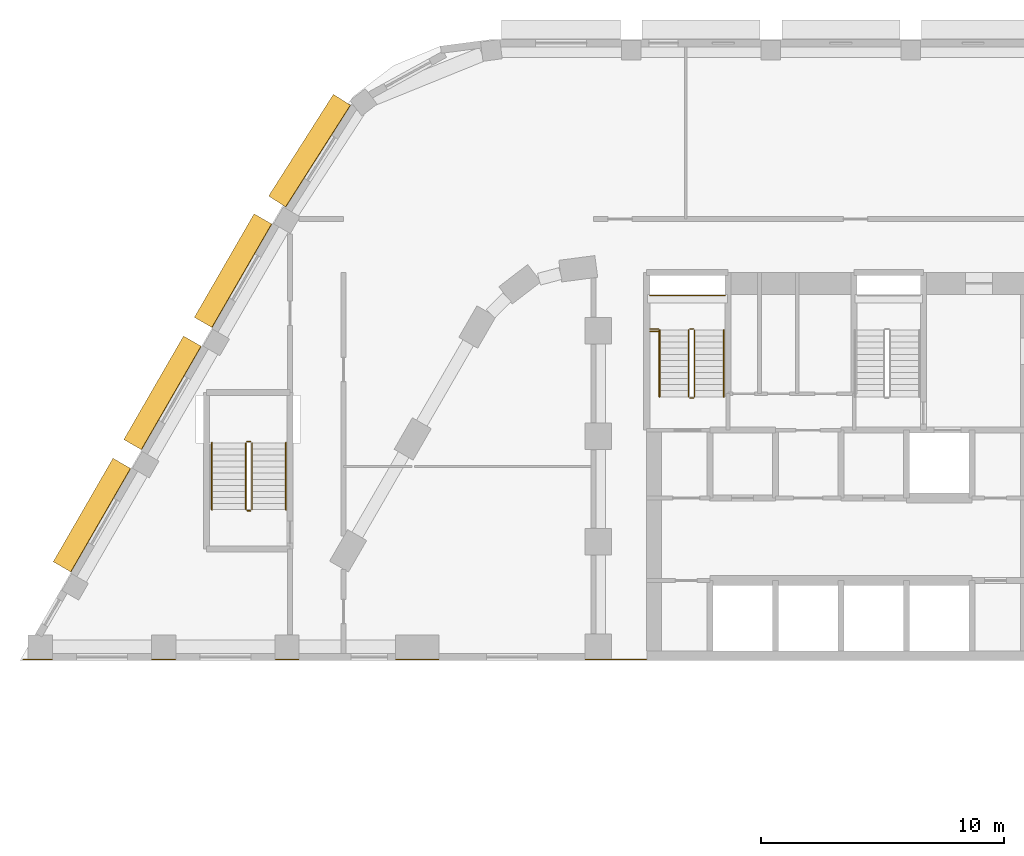
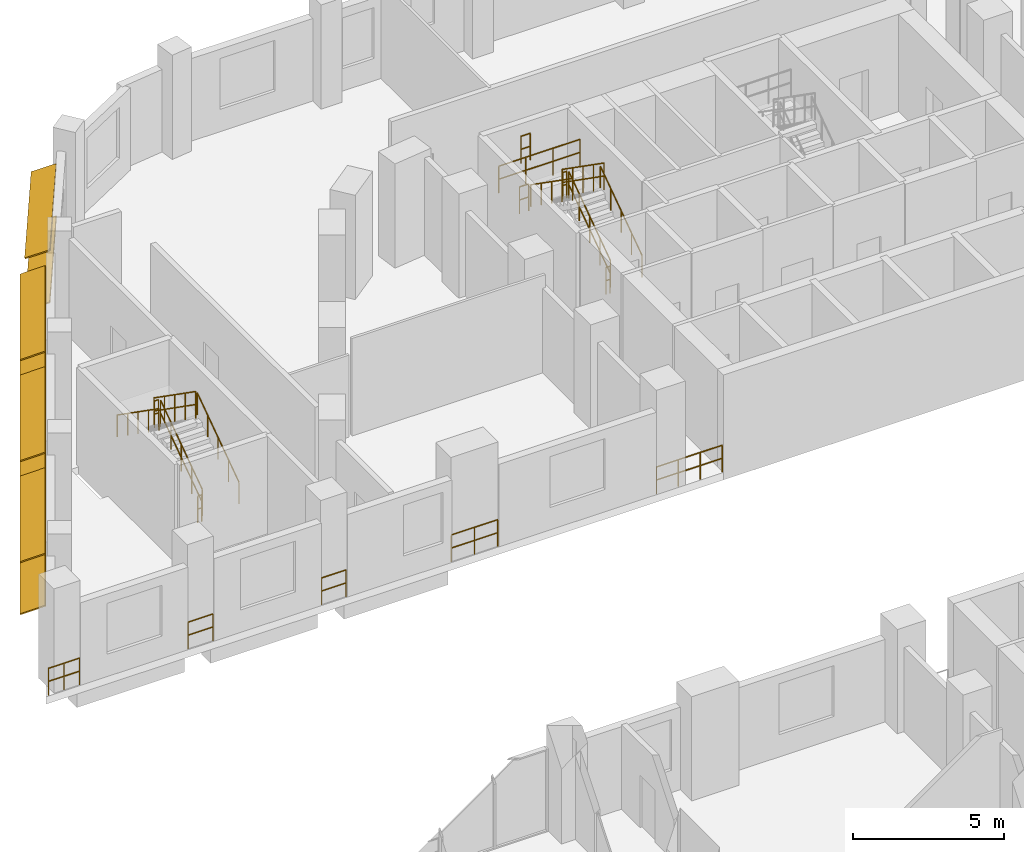
# One storey, part 21 of 22: 20 railings, 8 shading devices.
"""IFC4 building model written with IfcOpenShell, lengths in metres."""

from ifc_helpers import new_model, si_unit, direction, frame, origin, origin_2d, place, context, subcontext, project, spatial, rectangle, circle, extrude, material, material_profile, profile_set, type_object, element, save


model = new_model("IFC4")

# Units and contexts
model_context = context("Model", 3, precision=1e-05, world=origin(), true_north=direction((0.0, 1.0)))
body_context = subcontext(model_context, "Body", "Model", "MODEL_VIEW")
ifc_project = project(units=[si_unit("LENGTHUNIT", "METRE"), si_unit("AREAUNIT", "SQUARE_METRE"), si_unit("VOLUMEUNIT", "CUBIC_METRE"), si_unit("PLANEANGLEUNIT", "RADIAN"), si_unit("MASSUNIT", "GRAM", prefix="KILO")], contexts=[model_context])

# Site, building, storey
site_placement = place(None, origin())
site = spatial("IfcSite", under=ifc_project, at=site_placement, CompositionType="ELEMENT")
building_placement = place(site_placement, origin())
building = spatial("IfcBuilding", under=site, at=building_placement, Name="Nakaniwa Court", CompositionType="ELEMENT")
storey_placement = place(building_placement, frame((0.0, 0.0, 24.0)))
storey = spatial("IfcBuildingStorey", under=building, at=storey_placement, Name="L05", CompositionType="ELEMENT", Elevation=24.0)

# Shading devices
ifc_material_1 = material(Name="Perforated charcoal ceramic louvre blade")
ifc_material_profile = material_profile(ifc_material_1, rectangle(XDim=0.89990234375, YDim=0.050048828125, at=origin_2d()), Name="Perforated ceramic louvre blade")
ifc_profile_set = profile_set([ifc_material_profile], Name="Perforated charcoal ceramic louvre blade")
shading_device_type = type_object("IfcShadingDeviceType", Name="Perforated ceramic louvre blade", PredefinedType="JALOUSIE", material=ifc_profile_set)
for number, where, z_axis, x_axis, name in (
    (1, (56.184814453125, 105.6015625, 0.550048828125), (-0.499988503985, -0.86603204091, 0.0), (0.800109277096, -0.461929145323, 0.382683432365), "L05 perforated ceramic louvre blade w27 1"),
    (2, (56.184814453125, 105.6015625, 2.64990234375), (-0.499988503985, -0.86603204091, 0.0), (0.800109277096, -0.461929145323, 0.382683432365), "L05 perforated ceramic louvre blade w27 2"),
    (3, (53.2763671875, 100.564208984375, 0.550048828125), (-0.499951322638, -0.866053505849, 0.0), (0.800129108113, -0.461894794237, 0.382683432365), "L05 perforated ceramic louvre blade w28 1"),
    (4, (53.2763671875, 100.564208984375, 2.64990234375), (-0.499951322638, -0.866053505849, 0.0), (0.800129108113, -0.461894794237, 0.382683432365), "L05 perforated ceramic louvre blade w28 2"),
    (5, (50.3681640625, 95.526611328125, 0.550048828125), (-0.500009969958, -0.86601964755, 0.0), (0.800097827124, -0.461948977295, 0.382683432365), "L05 perforated ceramic louvre blade w29 1"),
    (6, (50.3681640625, 95.526611328125, 2.64990234375), (-0.500009969958, -0.86601964755, 0.0), (0.800097827124, -0.461948977295, 0.382683432365), "L05 perforated ceramic louvre blade w29 2"),
):
    element("IfcShadingDevice", number, at=place(storey_placement, frame(where, z_axis=z_axis, x_axis=x_axis)), inside=storey, type_object=shading_device_type, Name=name, PredefinedType="JALOUSIE", context=body_context, shape_type="SweptSolid", body=[
        extrude(rectangle(XDim=0.89990234375, YDim=0.050048828125, at=origin_2d()), origin(), (0.0, 0.0, 1.0), 4.9248046875),
    ])
for number, where, z_axis, x_axis, name in (
    (7, (59.44287109375, 110.513427734375, 0.550048828125), (-0.537237750098, -0.843430850675, 0.0), (0.775805827955, -0.494162831713, 0.392337116604), "L05 perforated ceramic louvre blade w53 1"),
    (8, (59.44287109375, 110.513427734375, 2.64990234375), (-0.537237750098, -0.843430850675, 0.0), (0.775805827955, -0.494162831713, 0.392337116604), "L05 perforated ceramic louvre blade w53 2"),
):
    element("IfcShadingDevice", number, at=place(storey_placement, frame(where, z_axis=z_axis, x_axis=x_axis)), inside=storey, type_object=shading_device_type, Name=name, PredefinedType="JALOUSIE", context=body_context, shape_type="SweptSolid", body=[
        extrude(rectangle(XDim=0.89990234375, YDim=0.050048828125, at=origin_2d()), origin(), (0.0, 0.0, 1.0), 4.970703125),
    ])

# Railings
ifc_material_2 = material(Name="Black powder coated steel guard", Category="steel")
railing_type_1 = type_object("IfcRailingType", Name="Stair guard 1100", PredefinedType="GUARDRAIL", material=ifc_material_2)
railing_1_placement = place(storey_placement, frame((73.97509765625, 98.27490234375, 0.175048828125)))
element("IfcRailing", 9, at=railing_1_placement, inside=storey, type_object=railing_type_1, Name="L05 ST1 stair guard 1", PredefinedType="GUARDRAIL", context=body_context, shape_type="SweptSolid", body=[
    extrude(circle(Radius=0.02392578125, at=origin_2d()), frame((0.0, 0.0, 1.076171875), z_axis=(0.0, 0.819225086817, 0.573472106672), x_axis=(-1.0, 0.0, 0.0)), (0.0, 0.0, 1.0), 3.35693359375),
    extrude(circle(Radius=0.02392578125, at=origin_2d()), frame((0.0, 0.0, 0.550048828125), z_axis=(0.0, 0.819225086817, 0.573472106672), x_axis=(-1.0, 0.0, 0.0)), (0.0, 0.0, 1.0), 3.35693359375),
    extrude(circle(Radius=0.02099609375, at=origin_2d()), origin(), (0.0, 0.0, 1.0), 1.052001953125),
    extrude(circle(Radius=0.02099609375, at=origin_2d()), frame((0.0, 0.6875, 0.481201171875)), (0.0, 0.0, 1.0), 1.052001953125),
    extrude(circle(Radius=0.02099609375, at=origin_2d()), frame((0.0, 1.375, 0.96240234375)), (0.0, 0.0, 1.0), 1.052001953125),
    extrude(circle(Radius=0.02099609375, at=origin_2d()), frame((0.0, 2.0625, 1.44384765625)), (0.0, 0.0, 1.0), 1.052001953125),
    extrude(circle(Radius=0.02099609375, at=origin_2d()), frame((0.0, 2.75, 1.925048828125)), (0.0, 0.0, 1.0), 1.052001953125),
])
railing_2_placement = place(storey_placement, frame((73.925048828125, 101.074951171875, 2.10009765625)))
element("IfcRailing", 10, at=railing_2_placement, inside=storey, type_object=railing_type_1, Name="L05 ST1 stair guard 2", PredefinedType="GUARDRAIL", context=body_context, shape_type="SweptSolid", body=[
    extrude(circle(Radius=0.02392578125, at=origin_2d()), frame((0.0, 0.0, 1.076171875), z_axis=(-1.0, 0.0, 0.0), x_axis=(0.0, -1.0, 0.0)), (0.0, 0.0, 1.0), 0.150146484375),
    extrude(circle(Radius=0.02392578125, at=origin_2d()), frame((0.0, 0.0, 0.550048828125), z_axis=(-1.0, 0.0, 0.0), x_axis=(0.0, -1.0, 0.0)), (0.0, 0.0, 1.0), 0.150146484375),
    extrude(circle(Radius=0.02099609375, at=origin_2d()), origin(), (0.0, 0.0, 1.0), 1.052001953125),
    extrude(circle(Radius=0.02099609375, at=origin_2d()), frame((-0.150146484375, 0.0, 0.0)), (0.0, 0.0, 1.0), 1.052001953125),
])
railing_3_placement = place(storey_placement, frame((73.72509765625, 101.02490234375, 2.27490234375)))
element("IfcRailing", 11, at=railing_3_placement, inside=storey, type_object=railing_type_1, Name="L05 ST1 stair guard 3", PredefinedType="GUARDRAIL", context=body_context, shape_type="SweptSolid", body=[
    extrude(circle(Radius=0.02392578125, at=origin_2d()), frame((0.0, 0.0, 1.076171875), z_axis=(0.0, -0.819225086817, 0.573472106672), x_axis=(1.0, 0.0, 0.0)), (0.0, 0.0, 1.0), 3.35693359375),
    extrude(circle(Radius=0.02392578125, at=origin_2d()), frame((0.0, 0.0, 0.550048828125), z_axis=(0.0, -0.819225086817, 0.573472106672), x_axis=(1.0, 0.0, 0.0)), (0.0, 0.0, 1.0), 3.35693359375),
    extrude(circle(Radius=0.02099609375, at=origin_2d()), origin(), (0.0, 0.0, 1.0), 1.052001953125),
    extrude(circle(Radius=0.02099609375, at=origin_2d()), frame((0.0, -0.6875, 0.481201171875)), (0.0, 0.0, 1.0), 1.052001953125),
    extrude(circle(Radius=0.02099609375, at=origin_2d()), frame((0.0, -1.375, 0.96240234375)), (0.0, 0.0, 1.0), 1.052001953125),
    extrude(circle(Radius=0.02099609375, at=origin_2d()), frame((0.0, -2.0625, 1.44384765625)), (0.0, 0.0, 1.0), 1.052001953125),
    extrude(circle(Radius=0.02099609375, at=origin_2d()), frame((0.0, -2.75, 1.925048828125)), (0.0, 0.0, 1.0), 1.052001953125),
])
railing_4_placement = place(storey_placement, frame((73.925048828125, 98.22509765625, 0.0)))
element("IfcRailing", 12, at=railing_4_placement, inside=storey, type_object=railing_type_1, Name="L05 ST1 stair guard 4", PredefinedType="GUARDRAIL", context=body_context, shape_type="SweptSolid", body=[
    extrude(circle(Radius=0.02392578125, at=origin_2d()), frame((0.0, 0.0, 1.076171875), z_axis=(-1.0, 0.0, 0.0), x_axis=(0.0, -1.0, 0.0)), (0.0, 0.0, 1.0), 0.150146484375),
    extrude(circle(Radius=0.02392578125, at=origin_2d()), frame((0.0, 0.0, 0.550048828125), z_axis=(-1.0, 0.0, 0.0), x_axis=(0.0, -1.0, 0.0)), (0.0, 0.0, 1.0), 0.150146484375),
    extrude(circle(Radius=0.02099609375, at=origin_2d()), origin(), (0.0, 0.0, 1.0), 1.052001953125),
    extrude(circle(Radius=0.02099609375, at=origin_2d()), frame((-0.150146484375, 0.0, 0.0)), (0.0, 0.0, 1.0), 1.052001953125),
])
railing_5_placement = place(storey_placement, frame((72.125, 102.449951171875, 2.10009765625)))
element("IfcRailing", 13, at=railing_5_placement, inside=storey, type_object=railing_type_1, Name="L05 ST1 landing end guard 1", PredefinedType="GUARDRAIL", context=body_context, shape_type="SweptSolid", body=[
    extrude(circle(Radius=0.02392578125, at=origin_2d()), frame((0.0, 0.0, 1.076171875), z_axis=(1.0, 0.0, 0.0), x_axis=(0.0, 1.0, 0.0)), (0.0, 0.0, 1.0), 3.10009765625),
    extrude(circle(Radius=0.02392578125, at=origin_2d()), frame((0.0, 0.0, 0.550048828125), z_axis=(1.0, 0.0, 0.0), x_axis=(0.0, 1.0, 0.0)), (0.0, 0.0, 1.0), 3.10009765625),
    extrude(circle(Radius=0.02099609375, at=origin_2d()), origin(), (0.0, 0.0, 1.0), 1.052001953125),
    extrude(circle(Radius=0.02099609375, at=origin_2d()), frame((1.033447265625, 0.0, 0.0)), (0.0, 0.0, 1.0), 1.052001953125),
    extrude(circle(Radius=0.02099609375, at=origin_2d()), frame((2.066650390625, 0.0, 0.0)), (0.0, 0.0, 1.0), 1.052001953125),
    extrude(circle(Radius=0.02099609375, at=origin_2d()), frame((3.10009765625, 0.0, 0.0)), (0.0, 0.0, 1.0), 1.052001953125),
])
for number, where, name in (
    (14, (72.125, 101.074951171875, 2.10009765625), "L05 ST1 landing side guard 1W"),
    (15, (72.125, 100.97509765625, 4.199951171875), "L05 ST1 floor edge guard 1W"),
):
    element("IfcRailing", number, at=place(storey_placement, frame(where)), inside=storey, type_object=railing_type_1, Name=name, PredefinedType="GUARDRAIL", context=body_context, shape_type="SweptSolid", body=[
        extrude(circle(Radius=0.02392578125, at=origin_2d()), frame((0.0, 0.0, 1.076171875), z_axis=(1.0, 0.0, 0.0), x_axis=(0.0, 1.0, 0.0)), (0.0, 0.0, 1.0), 0.35009765625),
        extrude(circle(Radius=0.02392578125, at=origin_2d()), frame((0.0, 0.0, 0.550048828125), z_axis=(1.0, 0.0, 0.0), x_axis=(0.0, 1.0, 0.0)), (0.0, 0.0, 1.0), 0.35009765625),
        extrude(circle(Radius=0.02099609375, at=origin_2d()), origin(), (0.0, 0.0, 1.0), 1.052001953125),
        extrude(circle(Radius=0.02099609375, at=origin_2d()), frame((0.35009765625, 0.0, 0.0)), (0.0, 0.0, 1.0), 1.052001953125),
    ])
railing_6_placement = place(storey_placement, frame((55.72509765625, 93.625, 0.175048828125)))
element("IfcRailing", 16, at=railing_6_placement, inside=storey, type_object=railing_type_1, Name="L05 SS2 stair guard 1", PredefinedType="GUARDRAIL", context=body_context, shape_type="SweptSolid", body=[
    extrude(circle(Radius=0.02392578125, at=origin_2d()), frame((0.0, 0.0, 1.076171875), z_axis=(0.0, 0.819225086817, 0.573472106672), x_axis=(-1.0, 0.0, 0.0)), (0.0, 0.0, 1.0), 3.35693359375),
    extrude(circle(Radius=0.02392578125, at=origin_2d()), frame((0.0, 0.0, 0.550048828125), z_axis=(0.0, 0.819225086817, 0.573472106672), x_axis=(-1.0, 0.0, 0.0)), (0.0, 0.0, 1.0), 3.35693359375),
    extrude(circle(Radius=0.02099609375, at=origin_2d()), origin(), (0.0, 0.0, 1.0), 1.052001953125),
    extrude(circle(Radius=0.02099609375, at=origin_2d()), frame((0.0, 0.6875, 0.481201171875)), (0.0, 0.0, 1.0), 1.052001953125),
    extrude(circle(Radius=0.02099609375, at=origin_2d()), frame((0.0, 1.375, 0.96240234375)), (0.0, 0.0, 1.0), 1.052001953125),
    extrude(circle(Radius=0.02099609375, at=origin_2d()), frame((0.0, 2.0625, 1.44384765625)), (0.0, 0.0, 1.0), 1.052001953125),
    extrude(circle(Radius=0.02099609375, at=origin_2d()), frame((0.0, 2.75, 1.925048828125)), (0.0, 0.0, 1.0), 1.052001953125),
])
railing_7_placement = place(storey_placement, frame((55.675048828125, 96.425048828125, 2.10009765625)))
element("IfcRailing", 17, at=railing_7_placement, inside=storey, type_object=railing_type_1, Name="L05 SS2 stair guard 2", PredefinedType="GUARDRAIL", context=body_context, shape_type="SweptSolid", body=[
    extrude(circle(Radius=0.02392578125, at=origin_2d()), frame((0.0, 0.0, 1.076171875), z_axis=(-1.0, 0.0, 0.0), x_axis=(0.0, -1.0, 0.0)), (0.0, 0.0, 1.0), 0.150146484375),
    extrude(circle(Radius=0.02392578125, at=origin_2d()), frame((0.0, 0.0, 0.550048828125), z_axis=(-1.0, 0.0, 0.0), x_axis=(0.0, -1.0, 0.0)), (0.0, 0.0, 1.0), 0.150146484375),
    extrude(circle(Radius=0.02099609375, at=origin_2d()), origin(), (0.0, 0.0, 1.0), 1.052001953125),
    extrude(circle(Radius=0.02099609375, at=origin_2d()), frame((-0.150146484375, 0.0, 0.0)), (0.0, 0.0, 1.0), 1.052001953125),
])
railing_8_placement = place(storey_placement, frame((55.47509765625, 96.375, 2.27490234375)))
element("IfcRailing", 18, at=railing_8_placement, inside=storey, type_object=railing_type_1, Name="L05 SS2 stair guard 3", PredefinedType="GUARDRAIL", context=body_context, shape_type="SweptSolid", body=[
    extrude(circle(Radius=0.02392578125, at=origin_2d()), frame((0.0, 0.0, 1.076171875), z_axis=(0.0, -0.819225086817, 0.573472106672), x_axis=(1.0, 0.0, 0.0)), (0.0, 0.0, 1.0), 3.35693359375),
    extrude(circle(Radius=0.02392578125, at=origin_2d()), frame((0.0, 0.0, 0.550048828125), z_axis=(0.0, -0.819225086817, 0.573472106672), x_axis=(1.0, 0.0, 0.0)), (0.0, 0.0, 1.0), 3.35693359375),
    extrude(circle(Radius=0.02099609375, at=origin_2d()), origin(), (0.0, 0.0, 1.0), 1.052001953125),
    extrude(circle(Radius=0.02099609375, at=origin_2d()), frame((0.0, -0.6875, 0.481201171875)), (0.0, 0.0, 1.0), 1.052001953125),
    extrude(circle(Radius=0.02099609375, at=origin_2d()), frame((0.0, -1.375, 0.96240234375)), (0.0, 0.0, 1.0), 1.052001953125),
    extrude(circle(Radius=0.02099609375, at=origin_2d()), frame((0.0, -2.0625, 1.44384765625)), (0.0, 0.0, 1.0), 1.052001953125),
    extrude(circle(Radius=0.02099609375, at=origin_2d()), frame((0.0, -2.75, 1.925048828125)), (0.0, 0.0, 1.0), 1.052001953125),
])
railing_9_placement = place(storey_placement, frame((55.675048828125, 93.574951171875, 0.0)))
element("IfcRailing", 19, at=railing_9_placement, inside=storey, type_object=railing_type_1, Name="L05 SS2 stair guard 4", PredefinedType="GUARDRAIL", context=body_context, shape_type="SweptSolid", body=[
    extrude(circle(Radius=0.02392578125, at=origin_2d()), frame((0.0, 0.0, 1.076171875), z_axis=(-1.0, 0.0, 0.0), x_axis=(0.0, -1.0, 0.0)), (0.0, 0.0, 1.0), 0.150146484375),
    extrude(circle(Radius=0.02392578125, at=origin_2d()), frame((0.0, 0.0, 0.550048828125), z_axis=(-1.0, 0.0, 0.0), x_axis=(0.0, -1.0, 0.0)), (0.0, 0.0, 1.0), 0.150146484375),
    extrude(circle(Radius=0.02099609375, at=origin_2d()), origin(), (0.0, 0.0, 1.0), 1.052001953125),
    extrude(circle(Radius=0.02099609375, at=origin_2d()), frame((-0.150146484375, 0.0, 0.0)), (0.0, 0.0, 1.0), 1.052001953125),
])
railing_10_placement = place(storey_placement, frame((71.985107421875, 87.449951171875, 0.0)))
element("IfcRailing", 20, at=railing_10_placement, inside=storey, type_object=railing_type_1, Name="GUARD GD-L05-096", PredefinedType="GUARDRAIL", context=body_context, shape_type="SweptSolid", body=[
    extrude(circle(Radius=0.02392578125, at=origin_2d()), frame((0.0, 0.0, 1.076171875), z_axis=(-1.0, 0.0, 0.0), x_axis=(0.0, -1.0, 0.0)), (0.0, 0.0, 1.0), 2.507080078125),
    extrude(circle(Radius=0.02392578125, at=origin_2d()), frame((0.0, 0.0, 0.550048828125), z_axis=(-1.0, 0.0, 0.0), x_axis=(0.0, -1.0, 0.0)), (0.0, 0.0, 1.0), 2.507080078125),
    extrude(circle(Radius=0.02099609375, at=origin_2d()), origin(), (0.0, 0.0, 1.0), 1.052001953125),
    extrude(circle(Radius=0.02099609375, at=origin_2d()), frame((-0.835693359375, 0.0, 0.0)), (0.0, 0.0, 1.0), 1.052001953125),
    extrude(circle(Radius=0.02099609375, at=origin_2d()), frame((-1.67138671875, 0.0, 0.0)), (0.0, 0.0, 1.0), 1.052001953125),
    extrude(circle(Radius=0.02099609375, at=origin_2d()), frame((-2.507080078125, 0.0, 0.0)), (0.0, 0.0, 1.0), 1.052001953125),
])
railing_11_placement = place(storey_placement, frame((63.426025390625, 87.449951171875, 0.0)))
element("IfcRailing", 21, at=railing_11_placement, inside=storey, type_object=railing_type_1, Name="GUARD GD-L05-097", PredefinedType="GUARDRAIL", context=body_context, shape_type="SweptSolid", body=[
    extrude(circle(Radius=0.02392578125, at=origin_2d()), frame((0.0, 0.0, 1.076171875), z_axis=(-1.0, 0.0, 0.0), x_axis=(0.0, -1.0, 0.0)), (0.0, 0.0, 1.0), 1.768310546875),
    extrude(circle(Radius=0.02392578125, at=origin_2d()), frame((0.0, 0.0, 0.550048828125), z_axis=(-1.0, 0.0, 0.0), x_axis=(0.0, -1.0, 0.0)), (0.0, 0.0, 1.0), 1.768310546875),
    extrude(circle(Radius=0.02099609375, at=origin_2d()), origin(), (0.0, 0.0, 1.0), 1.052001953125),
    extrude(circle(Radius=0.02099609375, at=origin_2d()), frame((-0.88427734375, 0.0, 0.0)), (0.0, 0.0, 1.0), 1.052001953125),
    extrude(circle(Radius=0.02099609375, at=origin_2d()), frame((-1.768310546875, 0.0, 0.0)), (0.0, 0.0, 1.0), 1.052001953125),
])
railing_12_placement = place(storey_placement, frame((57.643310546875, 87.449951171875, 0.0)))
element("IfcRailing", 22, at=railing_12_placement, inside=storey, type_object=railing_type_1, Name="GUARD GD-L05-098", PredefinedType="GUARDRAIL", context=body_context, shape_type="SweptSolid", body=[
    extrude(circle(Radius=0.02392578125, at=origin_2d()), frame((0.0, 0.0, 1.076171875), z_axis=(-1.0, 0.0, 0.0), x_axis=(0.0, -1.0, 0.0)), (0.0, 0.0, 1.0), 0.939453125),
    extrude(circle(Radius=0.02392578125, at=origin_2d()), frame((0.0, 0.0, 0.550048828125), z_axis=(-1.0, 0.0, 0.0), x_axis=(0.0, -1.0, 0.0)), (0.0, 0.0, 1.0), 0.939453125),
    extrude(circle(Radius=0.02099609375, at=origin_2d()), origin(), (0.0, 0.0, 1.0), 1.052001953125),
    extrude(circle(Radius=0.02099609375, at=origin_2d()), frame((-0.939453125, 0.0, 0.0)), (0.0, 0.0, 1.0), 1.052001953125),
])
railing_13_placement = place(storey_placement, frame((52.569580078125, 87.449951171875, 0.0)))
element("IfcRailing", 23, at=railing_13_placement, inside=storey, type_object=railing_type_1, Name="GUARD GD-L05-099", PredefinedType="GUARDRAIL", context=body_context, shape_type="SweptSolid", body=[
    extrude(circle(Radius=0.02392578125, at=origin_2d()), frame((0.0, 0.0, 1.076171875), z_axis=(-1.0, 0.0, 0.0), x_axis=(0.0, -1.0, 0.0)), (0.0, 0.0, 1.0), 0.95947265625),
    extrude(circle(Radius=0.02392578125, at=origin_2d()), frame((0.0, 0.0, 0.550048828125), z_axis=(-1.0, 0.0, 0.0), x_axis=(0.0, -1.0, 0.0)), (0.0, 0.0, 1.0), 0.95947265625),
    extrude(circle(Radius=0.02099609375, at=origin_2d()), origin(), (0.0, 0.0, 1.0), 1.052001953125),
    extrude(circle(Radius=0.02099609375, at=origin_2d()), frame((-0.95947265625, 0.0, 0.0)), (0.0, 0.0, 1.0), 1.052001953125),
])
railing_14_placement = place(storey_placement, frame((47.486083984375, 87.449951171875, 0.0)))
element("IfcRailing", 24, at=railing_14_placement, inside=storey, type_object=railing_type_1, Name="GUARD GD-L05-100", PredefinedType="GUARDRAIL", context=body_context, shape_type="SweptSolid", body=[
    extrude(circle(Radius=0.02392578125, at=origin_2d()), frame((0.0, 0.0, 1.076171875), z_axis=(-1.0, 0.0, 0.0), x_axis=(0.0, -1.0, 0.0)), (0.0, 0.0, 1.0), 1.18896484375),
    extrude(circle(Radius=0.02392578125, at=origin_2d()), frame((0.0, 0.0, 0.550048828125), z_axis=(-1.0, 0.0, 0.0), x_axis=(0.0, -1.0, 0.0)), (0.0, 0.0, 1.0), 1.18896484375),
    extrude(circle(Radius=0.02099609375, at=origin_2d()), origin(), (0.0, 0.0, 1.0), 1.052001953125),
    extrude(circle(Radius=0.02099609375, at=origin_2d()), frame((-0.594482421875, 0.0, 0.0)), (0.0, 0.0, 1.0), 1.052001953125),
    extrude(circle(Radius=0.02099609375, at=origin_2d()), frame((-1.18896484375, 0.0, 0.0)), (0.0, 0.0, 1.0), 1.052001953125),
])
ifc_material_3 = material(Name="Black powder coated steel handrail", Category="steel")
railing_type_2 = type_object("IfcRailingType", Name="Stair handrail 900", PredefinedType="HANDRAIL", material=ifc_material_3)
railing_15_placement = place(storey_placement, frame((75.175048828125, 98.27490234375, 0.175048828125)))
element("IfcRailing", 25, at=railing_15_placement, inside=storey, type_object=railing_type_2, Name="L05 ST1 stair handrail 1", PredefinedType="HANDRAIL", context=body_context, shape_type="SweptSolid", body=[
    extrude(circle(Radius=0.02392578125, at=origin_2d()), frame((0.0, 0.0, 0.8759765625), z_axis=(0.0, 0.819225086817, 0.573472106672), x_axis=(-1.0, 0.0, 0.0)), (0.0, 0.0, 1.0), 3.35693359375),
    extrude(circle(Radius=0.02099609375, at=origin_2d()), origin(), (0.0, 0.0, 1.0), 0.851806640625),
    extrude(circle(Radius=0.02099609375, at=origin_2d()), frame((0.0, 0.6875, 0.481201171875)), (0.0, 0.0, 1.0), 0.851806640625),
    extrude(circle(Radius=0.02099609375, at=origin_2d()), frame((0.0, 1.375, 0.96240234375)), (0.0, 0.0, 1.0), 0.851806640625),
    extrude(circle(Radius=0.02099609375, at=origin_2d()), frame((0.0, 2.0625, 1.44384765625)), (0.0, 0.0, 1.0), 0.851806640625),
    extrude(circle(Radius=0.02099609375, at=origin_2d()), frame((0.0, 2.75, 1.925048828125)), (0.0, 0.0, 1.0), 0.851806640625),
])
railing_16_placement = place(storey_placement, frame((72.52490234375, 101.02490234375, 2.27490234375)))
element("IfcRailing", 26, at=railing_16_placement, inside=storey, type_object=railing_type_2, Name="L05 ST1 stair handrail 2", PredefinedType="HANDRAIL", context=body_context, shape_type="SweptSolid", body=[
    extrude(circle(Radius=0.02392578125, at=origin_2d()), frame((0.0, 0.0, 0.8759765625), z_axis=(0.0, -0.819225086817, 0.573472106672), x_axis=(1.0, 0.0, 0.0)), (0.0, 0.0, 1.0), 3.35693359375),
    extrude(circle(Radius=0.02099609375, at=origin_2d()), origin(), (0.0, 0.0, 1.0), 0.851806640625),
    extrude(circle(Radius=0.02099609375, at=origin_2d()), frame((0.0, -0.6875, 0.481201171875)), (0.0, 0.0, 1.0), 0.851806640625),
    extrude(circle(Radius=0.02099609375, at=origin_2d()), frame((0.0, -1.375, 0.96240234375)), (0.0, 0.0, 1.0), 0.851806640625),
    extrude(circle(Radius=0.02099609375, at=origin_2d()), frame((0.0, -2.0625, 1.44384765625)), (0.0, 0.0, 1.0), 0.851806640625),
    extrude(circle(Radius=0.02099609375, at=origin_2d()), frame((0.0, -2.75, 1.925048828125)), (0.0, 0.0, 1.0), 0.851806640625),
])
railing_17_placement = place(storey_placement, frame((57.125, 93.625, 0.175048828125)))
element("IfcRailing", 27, at=railing_17_placement, inside=storey, type_object=railing_type_2, Name="L05 SS2 stair handrail 1", PredefinedType="HANDRAIL", context=body_context, shape_type="SweptSolid", body=[
    extrude(circle(Radius=0.02392578125, at=origin_2d()), frame((0.0, 0.0, 0.8759765625), z_axis=(0.0, 0.819225086817, 0.573472106672), x_axis=(-1.0, 0.0, 0.0)), (0.0, 0.0, 1.0), 3.35693359375),
    extrude(circle(Radius=0.02099609375, at=origin_2d()), origin(), (0.0, 0.0, 1.0), 0.851806640625),
    extrude(circle(Radius=0.02099609375, at=origin_2d()), frame((0.0, 0.6875, 0.481201171875)), (0.0, 0.0, 1.0), 0.851806640625),
    extrude(circle(Radius=0.02099609375, at=origin_2d()), frame((0.0, 1.375, 0.96240234375)), (0.0, 0.0, 1.0), 0.851806640625),
    extrude(circle(Radius=0.02099609375, at=origin_2d()), frame((0.0, 2.0625, 1.44384765625)), (0.0, 0.0, 1.0), 0.851806640625),
    extrude(circle(Radius=0.02099609375, at=origin_2d()), frame((0.0, 2.75, 1.925048828125)), (0.0, 0.0, 1.0), 0.851806640625),
])
railing_18_placement = place(storey_placement, frame((54.074951171875, 96.375, 2.27490234375)))
element("IfcRailing", 28, at=railing_18_placement, inside=storey, type_object=railing_type_2, Name="L05 SS2 stair handrail 2", PredefinedType="HANDRAIL", context=body_context, shape_type="SweptSolid", body=[
    extrude(circle(Radius=0.02392578125, at=origin_2d()), frame((0.0, 0.0, 0.8759765625), z_axis=(0.0, -0.819225086817, 0.573472106672), x_axis=(1.0, 0.0, 0.0)), (0.0, 0.0, 1.0), 3.35693359375),
    extrude(circle(Radius=0.02099609375, at=origin_2d()), origin(), (0.0, 0.0, 1.0), 0.851806640625),
    extrude(circle(Radius=0.02099609375, at=origin_2d()), frame((0.0, -0.6875, 0.481201171875)), (0.0, 0.0, 1.0), 0.851806640625),
    extrude(circle(Radius=0.02099609375, at=origin_2d()), frame((0.0, -1.375, 0.96240234375)), (0.0, 0.0, 1.0), 0.851806640625),
    extrude(circle(Radius=0.02099609375, at=origin_2d()), frame((0.0, -2.0625, 1.44384765625)), (0.0, 0.0, 1.0), 0.851806640625),
    extrude(circle(Radius=0.02099609375, at=origin_2d()), frame((0.0, -2.75, 1.925048828125)), (0.0, 0.0, 1.0), 0.851806640625),
])

save(model, "model.ifc")
